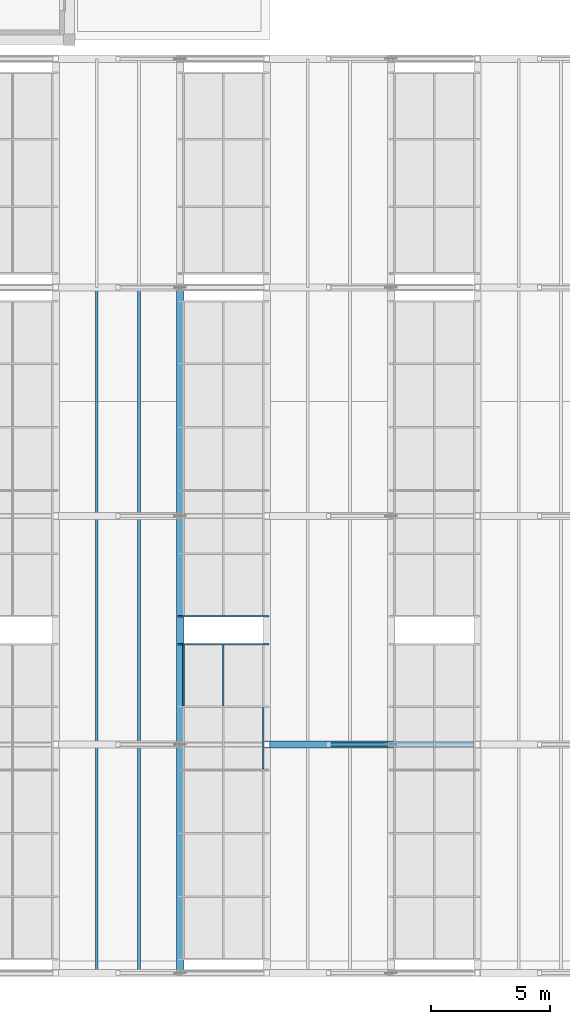
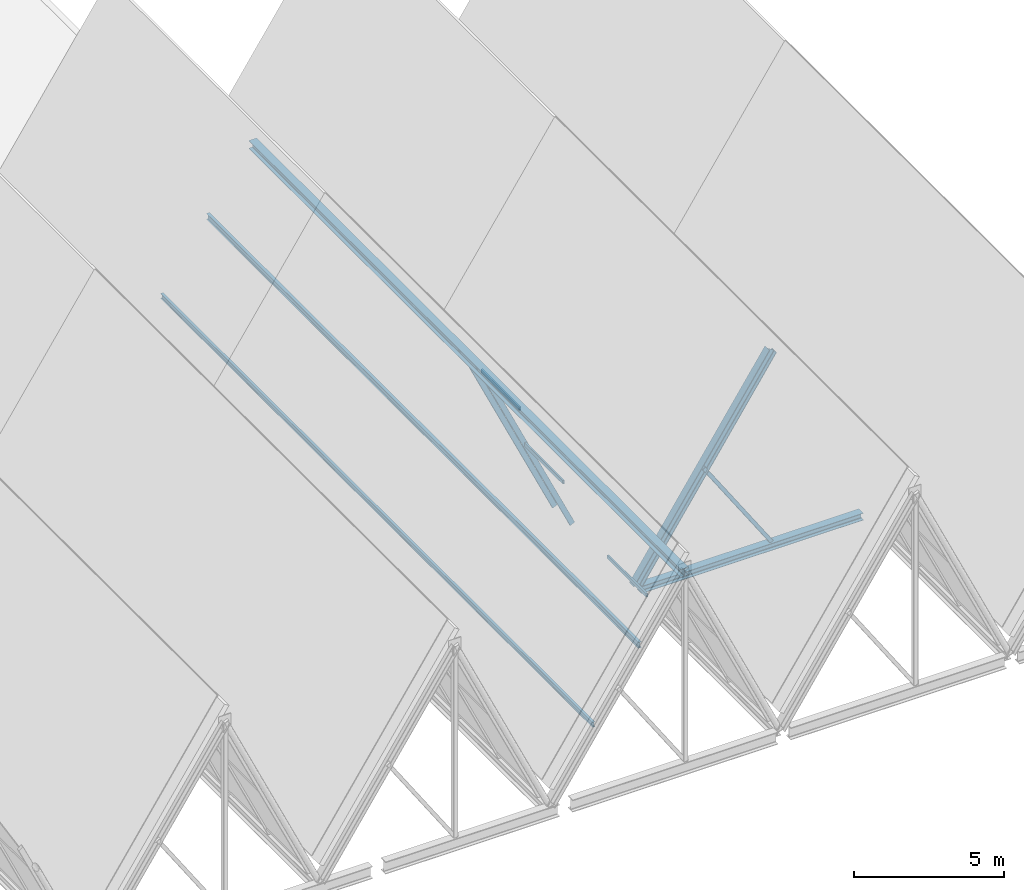
# One storey, part 51 of 99: 10 members, 1 beam, 2 elements without a shape of their own.
"""IFC4 building model written with IfcOpenShell, lengths in metres."""

from ifc_helpers import new_model, si_unit, direction, frame, origin, origin_2d, place, context, subcontext, project, spatial, hollow_rectangle, i_section, extrude, material, material_profile, profile_set, type_object, element, aggregate, save


model = new_model("IFC4")

# Units and contexts
model_context = context("Model", 3, precision=1e-05, world=origin(), true_north=direction((0.0, 1.0)))
body_context = subcontext(model_context, "Body", "Model", "MODEL_VIEW")
ifc_project = project(units=[si_unit("LENGTHUNIT", "METRE"), si_unit("AREAUNIT", "SQUARE_METRE"), si_unit("VOLUMEUNIT", "CUBIC_METRE"), si_unit("PLANEANGLEUNIT", "RADIAN"), si_unit("MASSUNIT", "GRAM", prefix="KILO")], contexts=[model_context])

# Site, building, storey
site_placement = place(None, origin())
site = spatial("IfcSite", under=ifc_project, at=site_placement, CompositionType="ELEMENT")
building_placement = place(site_placement, origin())
building = spatial("IfcBuilding", under=site, at=building_placement, Name="Bramveld Media Centre", CompositionType="ELEMENT")
storey_placement = place(building_placement, frame((0.0, 0.0, 13.800048828125)))
storey = spatial("IfcBuildingStorey", under=building, at=storey_placement, Name="L03", CompositionType="ELEMENT", Elevation=13.800048828125)

# Curtain wall, member
ifc_material_1 = material(Name="Thermally broken anodized bronze aluminium unitized curtain wall with solar-control triple glazing", Category="aluminium")
curtain_wall_type = type_object("IfcCurtainWallType", Name="CW-SAW-13300x8606", PredefinedType="NOTDEFINED", material=ifc_material_1)
curtain_wall_1_placement = place(storey_placement, origin())
curtain_wall_1 = element("IfcCurtainWall", 1, at=curtain_wall_1_placement, inside=storey, type_object=curtain_wall_type, Name="V1 sawtooth north-light clerestory B5-S1", PredefinedType="NOTDEFINED")
ifc_material_2 = material(Name="Thermally broken anodized bronze aluminium EN AW-6063 T6 curtain-wall framing", Category="aluminium")
ifc_material_profile_1 = material_profile(ifc_material_2, hollow_rectangle(XDim=0.070068359375, YDim=0.199951171875, WallThickness=0.00439453125, InnerFilletRadius=0.00439453125, OuterFilletRadius=0.009033203125, at=origin_2d()), Name="AL-MULL 70x200")
ifc_profile_set_1 = profile_set([ifc_material_profile_1], Name="Thermally broken anodized bronze aluminium EN AW-6063 T6 curtain-wall framing")
member_type_1 = type_object("IfcMemberType", Name="CW-MULL-SLP", PredefinedType="MULLION", material=ifc_profile_set_1)
member_1_placement = place(storey_placement, frame((168.28564453125, 13.81494140625, -0.02001953125), z_axis=(-0.423956992265, 0.0, 0.90568232218), x_axis=(0.0, -1.0, 0.0)))
member_1 = element("IfcMember", 2, at=member_1_placement, type_object=member_type_1, Name="CW-SA-13386 sloped mullion 6", PredefinedType="MULLION", context=body_context, shape_type="SweptSolid", body=[
    extrude(hollow_rectangle(XDim=0.070068359375, YDim=0.199951171875, WallThickness=0.00439453125, InnerFilletRadius=0.00439453125, OuterFilletRadius=0.009033203125, at=origin_2d()), origin(), (0.0, 0.0, 1.0), 8.5791015625),
])

curtain_wall_2_placement = place(storey_placement, origin())
curtain_wall_2 = element("IfcCurtainWall", 3, at=curtain_wall_2_placement, inside=storey, type_object=curtain_wall_type, Name="V1 sawtooth north-light clerestory B5-S2", PredefinedType="NOTDEFINED")
member_2_placement = place(storey_placement, frame((168.28564453125, 14.985107421875, -0.02001953125), z_axis=(-0.423956992265, 0.0, 0.90568232218), x_axis=(0.0, -1.0, 0.0)))
member_2 = element("IfcMember", 4, at=member_2_placement, type_object=member_type_1, Name="CW-SA-13386 sloped mullion 1", PredefinedType="MULLION", context=body_context, shape_type="SweptSolid", body=[
    extrude(hollow_rectangle(XDim=0.070068359375, YDim=0.199951171875, WallThickness=0.00439453125, InnerFilletRadius=0.00439453125, OuterFilletRadius=0.009033203125, at=origin_2d()), origin(), (0.0, 0.0, 1.0), 8.5791015625),
])
aggregate(curtain_wall_2, [member_2])

# Member
ifc_material_3 = material(Name="Thermally broken anodized bronze aluminium EN AW-6063 T6 curtain-wall framing", Category="aluminium")
ifc_material_profile_2 = material_profile(ifc_material_3, hollow_rectangle(XDim=0.070068359375, YDim=0.14990234375, WallThickness=0.00390625, InnerFilletRadius=0.00390625, OuterFilletRadius=0.008056640625, at=origin_2d()), Name="AL-TRAN 70x150")
ifc_profile_set_2 = profile_set([ifc_material_profile_2], Name="Thermally broken anodized bronze aluminium EN AW-6063 T6 curtain-wall framing")
member_type_2 = type_object("IfcMemberType", Name="CW-TRAN-SLP", PredefinedType="USERDEFINED", material=ifc_profile_set_2)
member_3_placement = place(storey_placement, frame((168.14013671875, 8.56494140625, 0.290771484375), z_axis=(0.0, 1.0, 0.0), x_axis=(-1.0, 0.0, 0.0)))
member_3 = element("IfcMember", 5, at=member_3_placement, type_object=member_type_2, Name="CW-SA-13386 transom 4.1", ObjectType="TRANSOM", PredefinedType="USERDEFINED", context=body_context, shape_type="SweptSolid", body=[
    extrude(hollow_rectangle(XDim=0.070068359375, YDim=0.14990234375, WallThickness=0.00390625, InnerFilletRadius=0.00390625, OuterFilletRadius=0.008056640625, at=origin_2d()), origin(), (0.0, 0.0, 1.0), 2.590087890625),
])

member_4_placement = place(storey_placement, frame((166.467041015625, 11.22509765625, 3.864990234375), z_axis=(0.0, 1.0, 0.0), x_axis=(-1.0, 0.0, 0.0)))
member_4 = element("IfcMember", 6, at=member_4_placement, type_object=member_type_2, Name="CW-SA-13386 transom 5.2", ObjectType="TRANSOM", PredefinedType="USERDEFINED", context=body_context, shape_type="SweptSolid", body=[
    extrude(hollow_rectangle(XDim=0.070068359375, YDim=0.14990234375, WallThickness=0.00390625, InnerFilletRadius=0.00390625, OuterFilletRadius=0.008056640625, at=origin_2d()), origin(), (0.0, 0.0, 1.0), 2.554931640625),
])

member_5_placement = place(storey_placement, frame((164.7939453125, 11.22509765625, 7.439208984375), z_axis=(0.0, 1.0, 0.0), x_axis=(-1.0, 0.0, 0.0)))
member_5 = element("IfcMember", 7, at=member_5_placement, type_object=member_type_2, Name="CW-SA-13386 transom 5.3", ObjectType="TRANSOM", PredefinedType="USERDEFINED", context=body_context, shape_type="SweptSolid", body=[
    extrude(hollow_rectangle(XDim=0.070068359375, YDim=0.14990234375, WallThickness=0.00390625, InnerFilletRadius=0.00390625, OuterFilletRadius=0.008056640625, at=origin_2d()), origin(), (0.0, 0.0, 1.0), 2.554931640625),
])

aggregate(curtain_wall_1, [member_1, member_3, member_4, member_5])

# Members
ifc_material_4 = material(Name="Steel S355J2H", Category="steel")
ifc_material_profile_3 = material_profile(ifc_material_4, hollow_rectangle(XDim=0.14990234375, YDim=0.14990234375, WallThickness=0.010009765625, InnerFilletRadius=0.010009765625, OuterFilletRadius=0.02001953125, at=origin_2d()), Name="SHS 150x150x10")
ifc_profile_set_3 = profile_set([ifc_material_profile_3], Name="Steel S355J2H")
member_type_3 = type_object("IfcMemberType", Name="MEM-BRACE-SHS150", PredefinedType="BRACE", material=ifc_profile_set_3)
member_6_placement = place(storey_placement, frame((173.505615234375, 9.60009765625, 0.0), z_axis=(-0.556200017124, 0.0, 0.831048458847), x_axis=(0.0, -1.0, 0.0)))
element("IfcMember", 8, at=member_6_placement, inside=storey, type_object=member_type_3, Name="TRUSS-V1-B06-F2 web diagonal", PredefinedType="BRACE", context=body_context, shape_type="SweptSolid", body=[
    extrude(hollow_rectangle(XDim=0.14990234375, YDim=0.14990234375, WallThickness=0.010009765625, InnerFilletRadius=0.010009765625, OuterFilletRadius=0.02001953125, at=origin_2d()), origin(), (0.0, 0.0, 1.0), 4.69287109375),
])
ifc_material_5 = material(Name="Steel S355J2", Category="steel")
ifc_material_profile_4 = material_profile(ifc_material_5, i_section(OverallWidth=0.300048828125, OverallDepth=0.2900390625, WebThickness=0.008544921875, FlangeThickness=0.013916015625, FilletRadius=0.027099609375, at=origin_2d()), Name="HEA 300")
ifc_profile_set_4 = profile_set([ifc_material_profile_4], Name="Steel S355J2")
member_type_4 = type_object("IfcMemberType", Name="MEM-CHORD-HEA300", PredefinedType="CHORD", material=ifc_profile_set_4)
member_7_placement = place(storey_placement, frame((168.44580078125, 9.60009765625, -0.14501953125), z_axis=(1.0, 0.0, 0.0), x_axis=(0.0, 1.0, 0.0)))
element("IfcMember", 9, at=member_7_placement, inside=storey, type_object=member_type_4, Name="TRUSS-V1-B06-F2 bottom tie chord", PredefinedType="CHORD", context=body_context, shape_type="SweptSolid", body=[
    extrude(i_section(OverallWidth=0.300048828125, OverallDepth=0.2900390625, WebThickness=0.008544921875, FlangeThickness=0.013916015625, FilletRadius=0.027099609375, at=origin_2d()), origin(), (0.0, 0.0, 1.0), 8.537109375),
])
ifc_material_6 = material(Name="Steel S355J2", Category="steel")
ifc_material_profile_5 = material_profile(ifc_material_6, i_section(OverallWidth=0.300048828125, OverallDepth=0.340087890625, WebThickness=0.011962890625, FlangeThickness=0.021484375, FilletRadius=0.027099609375, at=origin_2d()), Name="HEB 340")
ifc_profile_set_5 = profile_set([ifc_material_profile_5], Name="Steel S355J2")
member_type_5 = type_object("IfcMemberType", Name="MEM-CHORD-HEB340", PredefinedType="CHORD", material=ifc_profile_set_5)
member_8_placement = place(storey_placement, frame((168.28564453125, 9.60009765625, 0.0), z_axis=(0.556170027887, 0.0, 0.831068529112), x_axis=(0.0, 1.0, 0.0)))
element("IfcMember", 10, at=member_8_placement, inside=storey, type_object=member_type_5, Name="TRUSS-V1-B06-F2 top rafter chord", PredefinedType="CHORD", context=body_context, shape_type="SweptSolid", body=[
    extrude(i_section(OverallWidth=0.300048828125, OverallDepth=0.340087890625, WebThickness=0.011962890625, FlangeThickness=0.021484375, FilletRadius=0.027099609375, at=origin_2d()), origin(), (0.0, 0.0, 1.0), 9.385498046875),
])
ifc_material_7 = material(Name="Steel S355J2", Category="steel")
ifc_material_profile_6 = material_profile(ifc_material_7, i_section(OverallWidth=0.10009765625, OverallDepth=0.199951171875, WebThickness=0.005615234375, FlangeThickness=0.008544921875, FilletRadius=0.011962890625, at=origin_2d()), Name="IPE 200")
ifc_profile_set_6 = profile_set([ifc_material_profile_6], Name="Steel S355J2")
member_type_6 = type_object("IfcMemberType", Name="MEM-PURLIN-IPE200", PredefinedType="PURLIN", material=ifc_profile_set_6)
member_9_placement = place(storey_placement, frame((161.151123046875, 0.0, 2.666259765625), z_axis=(0.0, 1.0, 0.0), x_axis=(-1.0, 0.0, 0.0)))
element("IfcMember", 11, at=member_9_placement, inside=storey, type_object=member_type_6, Name="V1 roof purlin", PredefinedType="PURLIN", context=body_context, shape_type="SweptSolid", body=[
    extrude(i_section(OverallWidth=0.10009765625, OverallDepth=0.199951171875, WebThickness=0.005615234375, FlangeThickness=0.008544921875, FilletRadius=0.011962890625, at=origin_2d()), origin(), (0.0, 0.0, 1.0), 28.800048828125),
])
ifc_material_8 = material(Name="Steel S355J2", Category="steel")
ifc_material_profile_7 = material_profile(ifc_material_8, i_section(OverallWidth=0.1201171875, OverallDepth=0.239990234375, WebThickness=0.006103515625, FlangeThickness=0.009765625, FilletRadius=0.014892578125, at=origin_2d()), Name="IPE 240")
ifc_profile_set_7 = profile_set([ifc_material_profile_7], Name="Steel S355J2")
member_type_7 = type_object("IfcMemberType", Name="MEM-PURLIN-IPE240", PredefinedType="PURLIN", material=ifc_profile_set_7)
member_10_placement = place(storey_placement, frame((162.92578125, 0.0, 5.283447265625), z_axis=(0.0, 1.0, 0.0), x_axis=(-1.0, 0.0, 0.0)))
element("IfcMember", 12, at=member_10_placement, inside=storey, type_object=member_type_7, Name="V1 roof purlin", PredefinedType="PURLIN", context=body_context, shape_type="SweptSolid", body=[
    extrude(i_section(OverallWidth=0.1201171875, OverallDepth=0.239990234375, WebThickness=0.006103515625, FlangeThickness=0.009765625, FilletRadius=0.014892578125, at=origin_2d()), origin(), (0.0, 0.0, 1.0), 28.800048828125),
])

# Beam
ifc_material_9 = material(Name="Steel S355J2", Category="steel")
ifc_material_profile_8 = material_profile(ifc_material_9, i_section(OverallWidth=0.300048828125, OverallDepth=0.330078125, WebThickness=0.009521484375, FlangeThickness=0.0166015625, FilletRadius=0.027099609375, at=origin_2d()), Name="HEA 340")
ifc_profile_set_8 = profile_set([ifc_material_profile_8], Name="Steel S355J2")
beam_type = type_object("IfcBeamType", Name="SBM-INT-HEA-340", PredefinedType="BEAM", material=ifc_profile_set_8)
beam_placement = place(storey_placement, frame((164.6484375, 0.0, 7.635009765625), z_axis=(0.0, 1.0, 0.0), x_axis=(-1.0, 0.0, 0.0)))
element("IfcBeam", 13, at=beam_placement, inside=storey, type_object=beam_type, Name="V1 ridge spine beam", PredefinedType="BEAM", context=body_context, shape_type="SweptSolid", body=[
    extrude(i_section(OverallWidth=0.300048828125, OverallDepth=0.330078125, WebThickness=0.009521484375, FlangeThickness=0.0166015625, FilletRadius=0.027099609375, at=origin_2d()), origin(), (0.0, 0.0, 1.0), 28.800048828125),
])

save(model, "model.ifc")
